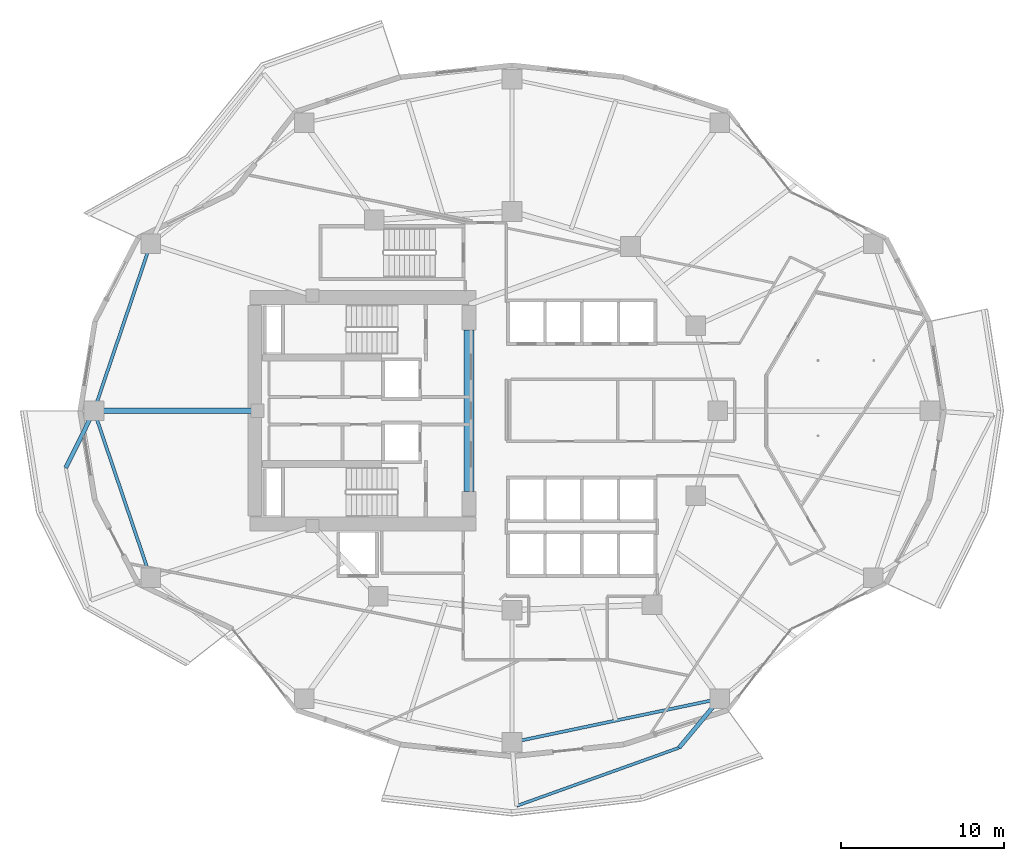
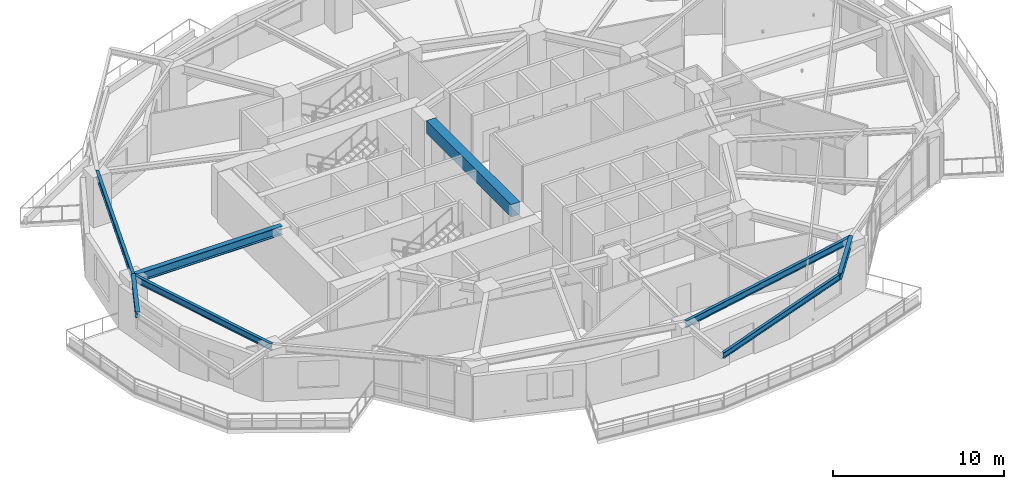
# One storey, part 3 of 18: 8 beams.
"""IFC4 building model written with IfcOpenShell, lengths in metres."""

import ifcopenshell
import ifcopenshell.guid

model = None  # the IFC model being written
_history = None  # IfcOwnerHistory: only IFC2X3 demands one
_inside = {}  # id of a spatial element -> (the spatial element, [elements in it])
_under = {}  # id of a project, library or spatial element -> (it, [spatial elements below it])
_declared = {}  # id of a project -> (the project, [libraries it declares])
_typed = {}  # id of a type object -> (the type object, [elements of that type])
_made_of = {}  # id of a material, layer set ... -> (it, [elements and type objects made of it])


def new_model(schema):
    """Start an empty IFC model of exactly this schema.

    Asked for "IFC4X3", IfcOpenShell would pick the latest addendum, in which some entities
    have other attributes; the version numbers below select the first issue.
    IFC2X3 requires an IfcOwnerHistory on every rooted entity: one is made here for all.
    """
    global model, _history
    if schema == "IFC4X3":
        model = ifcopenshell.file(schema_version=(4, 3, 0, 0))
    else:
        model = ifcopenshell.file(schema=schema)
    _inside.clear()
    _under.clear()
    _declared.clear()
    _typed.clear()
    _made_of.clear()
    _history = None
    if model.schema == "IFC2X3":
        org = make("IfcOrganization", Name="unknown")
        user = make(
            "IfcPersonAndOrganization",
            ThePerson=make("IfcPerson", FamilyName="unknown"),
            TheOrganization=org,
        )
        app = make(
            "IfcApplication",
            ApplicationDeveloper=org,
            Version="unknown",
            ApplicationFullName="unknown",
            ApplicationIdentifier="unknown",
        )
        _history = make(
            "IfcOwnerHistory",
            OwningUser=user,
            OwningApplication=app,
            ChangeAction="ADDED",
            CreationDate=0,
        )
    return model


def make(cls, **values):
    """One entity of the class cls with the attributes given. An attribute that is None is left unset."""
    return model.create_entity(
        cls, **{name: value for name, value in values.items() if value is not None}
    )


def rooted(cls, **values):
    """An entity with a GlobalId (a new one), such as an element, a storey or a relation."""
    return make(cls, GlobalId=ifcopenshell.guid.new(), OwnerHistory=_history, **values)


def si_unit(unit_type, name, prefix=None):
    """IfcSIUnit, for example si_unit("LENGTHUNIT", "METRE", prefix="MILLI")."""
    return make("IfcSIUnit", UnitType=unit_type, Prefix=prefix, Name=name)


def assignment(units):
    """IfcUnitAssignment: the units of a project."""
    return None if units is None else make("IfcUnitAssignment", Units=units)


def point(xyz):
    """IfcCartesianPoint."""
    return None if xyz is None else make("IfcCartesianPoint", Coordinates=xyz)


def direction(xyz):
    """IfcDirection."""
    return None if xyz is None else make("IfcDirection", DirectionRatios=xyz)


def frame(location, z_axis=None, x_axis=None):
    """IfcAxis2Placement3D, a coordinate frame: its origin and axes. An axis left out is left unset."""
    return make(
        "IfcAxis2Placement3D",
        Location=point(location),
        Axis=direction(z_axis),
        RefDirection=direction(x_axis),
    )


def frame_2d(location, x_axis=None):
    """IfcAxis2Placement2D, a coordinate frame in the plane: its origin and x axis."""
    return make(
        "IfcAxis2Placement2D", Location=point(location), RefDirection=direction(x_axis)
    )


def origin():
    """The frame at (0, 0, 0) with its axes left unset."""
    return frame((0.0, 0.0, 0.0))


def origin_2d():
    """The frame at (0, 0) in the plane with its x axis left unset."""
    return frame_2d((0.0, 0.0))


def place(relative_to, where):
    """IfcLocalPlacement: puts the frame where relative to a parent placement (None: the world)."""
    return make(
        "IfcLocalPlacement", PlacementRelTo=relative_to, RelativePlacement=where
    )


def context(
    kind, dimensions, precision=None, world=None, true_north=None, identifier=None
):
    """IfcGeometricRepresentationContext, for example the 3D "Model" context."""
    return make(
        "IfcGeometricRepresentationContext",
        ContextIdentifier=identifier,
        ContextType=kind,
        CoordinateSpaceDimension=dimensions,
        Precision=precision,
        WorldCoordinateSystem=world,
        TrueNorth=true_north,
    )


def subcontext(parent, identifier, kind, view, scale=None):
    """IfcGeometricRepresentationSubContext, for example "Body" below "Model"."""
    return make(
        "IfcGeometricRepresentationSubContext",
        ContextIdentifier=identifier,
        ContextType=kind,
        ParentContext=parent,
        TargetScale=scale,
        TargetView=view,
    )


def project(units=None, contexts=None):
    """IfcProject with its units and contexts."""
    return rooted(
        "IfcProject",
        Name="project",
        RepresentationContexts=contexts,
        UnitsInContext=assignment(units),
    )


def spatial(cls, under=None, at=None, **own):
    """A site, building, storey or space (cls), placed at a placement, below another one or the project."""
    s = rooted(cls, ObjectPlacement=at, **own)
    if under is not None:
        _under.setdefault(under.id(), (under, []))[1].append(s)
    return s


def profile(cls, at=None, kind="AREA", **sizes):
    """A parametric profile (cls). Its sizes go by their IFC names, for example OverallWidth=200.0."""
    return make(cls, ProfileType=kind, Position=at, **sizes)


def rectangle(**sizes):
    """IfcRectangleProfileDef."""
    return profile("IfcRectangleProfileDef", **sizes)


def i_section(**sizes):
    """IfcIShapeProfileDef."""
    return profile("IfcIShapeProfileDef", **sizes)


def extrude(swept, where, along, depth):
    """IfcExtrudedAreaSolid: the profile swept, set in the frame where, extruded along a direction by depth."""
    return make(
        "IfcExtrudedAreaSolid",
        SweptArea=swept,
        Position=where,
        ExtrudedDirection=direction(along),
        Depth=depth,
    )


def shape(context_of_items, identifier, shape_type, items):
    """IfcShapeRepresentation: the items that make up one representation, for example the "Body"."""
    return make(
        "IfcShapeRepresentation",
        ContextOfItems=context_of_items,
        RepresentationIdentifier=identifier,
        RepresentationType=shape_type,
        Items=items,
    )


def material(Name=None, Category=None):
    """IfcMaterial."""
    return make("IfcMaterial", Name=Name, Category=Category)


def material_profile(
    of_material, cross_section, Name=None, Category=None, Priority=None
):
    """IfcMaterialProfile: a cross section and its material."""
    return make(
        "IfcMaterialProfile",
        Name=Name,
        Material=of_material,
        Profile=cross_section,
        Priority=Priority,
        Category=Category,
    )


def profile_set(profiles, Name=None, composite=None):
    """IfcMaterialProfileSet."""
    return make(
        "IfcMaterialProfileSet",
        Name=Name,
        MaterialProfiles=profiles,
        CompositeProfile=composite,
    )


def made_of(thing, what):
    """Note that an element or type object is made of a material, layer set ...; save() writes the relation."""
    if what is not None:
        _made_of.setdefault(what.id(), (what, []))[1].append(thing)
    return thing


def type_object(cls, material=None, **own):
    """A type object (cls), such as IfcWallType, which elements share."""
    return made_of(rooted(cls, **own), material)


def element(
    cls,
    number,
    at=None,
    inside=None,
    cuts=None,
    type_object=None,
    material=None,
    context=None,
    identifier="Body",
    shape_type=None,
    held_by="IfcProductDefinitionShape",
    body=None,
    shapes=None,
    **own,
):
    """One element of the class cls, such as IfcWall. Its Tag is "e" and its number.

    at: its placement. inside: the storey or other place that contains it. cuts: it is an
    opening in that element (IfcRelVoidsElement). A single representation is given by context,
    identifier, shape_type and body (its items); several are given by shapes. held_by: the class
    of the entity that holds the representations. save() writes the other relations.
    """
    e = rooted(cls, Tag="e%d" % number, ObjectPlacement=at, **own)
    if body is not None:
        shapes = [shape(context, identifier, shape_type, body)]
    if shapes is not None:
        e.Representation = make(held_by, Representations=shapes)
    if inside is not None:
        _inside.setdefault(inside.id(), (inside, []))[1].append(e)
    if cuts is not None:
        rooted(
            "IfcRelVoidsElement", RelatingBuildingElement=cuts, RelatedOpeningElement=e
        )
    if type_object is not None:
        _typed.setdefault(type_object.id(), (type_object, []))[1].append(e)
    return made_of(e, material)


def aggregate(whole, parts):
    """IfcRelAggregates: a whole, such as a stair, and the parts it consists of."""
    return rooted("IfcRelAggregates", RelatingObject=whole, RelatedObjects=parts)


def save(model, path):
    """Write the relations noted so far, then the file.

    IfcRelAggregates (storeys below a building ...), IfcRelContainedInSpatialStructure (elements
    in a storey), IfcRelDefinesByType, IfcRelAssociatesMaterial and IfcRelDeclares: one each for
    every whole, place, type object, material and project.
    """
    for whole, parts in _under.values():
        aggregate(whole, parts)
    for where, things in _inside.values():
        rooted(
            "IfcRelContainedInSpatialStructure",
            RelatedElements=things,
            RelatingStructure=where,
        )
    for kind, things in _typed.values():
        rooted("IfcRelDefinesByType", RelatedObjects=things, RelatingType=kind)
    for what, things in _made_of.values():
        rooted("IfcRelAssociatesMaterial", RelatedObjects=things, RelatingMaterial=what)
    for by, libraries in _declared.values():
        rooted("IfcRelDeclares", RelatingContext=by, RelatedDefinitions=libraries)
    model.write(path)


model = new_model("IFC4")

# Units and contexts
model_context = context("Model", 3, precision=1e-05, world=origin(), true_north=direction((0.0, 1.0)))
body_context = subcontext(model_context, "Body", "Model", "MODEL_VIEW")
ifc_project = project(units=[si_unit("LENGTHUNIT", "METRE"), si_unit("AREAUNIT", "SQUARE_METRE"), si_unit("VOLUMEUNIT", "CUBIC_METRE"), si_unit("PLANEANGLEUNIT", "RADIAN"), si_unit("MASSUNIT", "GRAM", prefix="KILO")], contexts=[model_context])

# Site, building, storey
site_placement = place(None, origin())
site = spatial("IfcSite", under=ifc_project, at=site_placement, CompositionType="ELEMENT")
building_placement = place(site_placement, origin())
building = spatial("IfcBuilding", under=site, at=building_placement, Name="Kolvaren Gate Tower and Convention Centre", CompositionType="ELEMENT")
storey_placement = place(building_placement, frame((0.0, 0.0, 61.14990234375)))
storey = spatial("IfcBuildingStorey", under=building, at=storey_placement, Name="L14", CompositionType="ELEMENT", Elevation=61.14990234375)

# Beams
ifc_material_1 = material(Name="Structural steel ASTM A992 Grade 345 MPa", Category="steel")
ifc_material_profile_1 = material_profile(ifc_material_1, i_section(OverallWidth=0.260009765625, OverallDepth=0.419921875, WebThickness=0.013427734375, FlangeThickness=0.0224609375, at=origin_2d()), Name="W410X132")
ifc_profile_set_1 = profile_set([ifc_material_profile_1], Name="Structural steel ASTM A992 Grade 345 MPa")
beam_type_1 = type_object("IfcBeamType", Name="STR-BM-W410X132", PredefinedType="BEAM", material=ifc_profile_set_1)
beam_1_placement = place(storey_placement, frame((4.53759765625, 27.0, 3.360595703125), z_axis=(-0.442775963142, -0.896632280516, 0.0), x_axis=(0.896632280516, -0.442775963142, 0.0)))
element("IfcBeam", 1, at=beam_1_placement, inside=storey, type_object=beam_type_1, Name="Tower L15 Planted Balcony Outrigger Cantilever BC-2A", PredefinedType="BEAM", context=body_context, shape_type="SweptSolid", body=[
    extrude(i_section(OverallWidth=0.260009765625, OverallDepth=0.419921875, WebThickness=0.013427734375, FlangeThickness=0.0224609375, at=origin_2d()), origin(), (0.0, 0.0, 1.0), 3.89990234375),
])
beam_2_placement = place(storey_placement, frame((42.846435546875, 9.372802734375, 3.360595703125), z_axis=(-0.639069265421, -0.769149188386, 0.0), x_axis=(0.769149188386, -0.639069265421, 0.0)))
element("IfcBeam", 2, at=beam_2_placement, inside=storey, type_object=beam_type_1, Name="Tower L15 Planted Balcony Outrigger Cantilever BC-3B", PredefinedType="BEAM", context=body_context, shape_type="SweptSolid", body=[
    extrude(i_section(OverallWidth=0.260009765625, OverallDepth=0.419921875, WebThickness=0.013427734375, FlangeThickness=0.0224609375, at=origin_2d()), origin(), (0.0, 0.0, 1.0), 3.900146484375),
])
ifc_material_profile_2 = material_profile(ifc_material_1, i_section(OverallWidth=0.327880859375, OverallDepth=0.6279296875, WebThickness=0.0166015625, FlangeThickness=0.027587890625, at=origin_2d()), Name="W610X217")
ifc_profile_set_2 = profile_set([ifc_material_profile_2], Name="Structural steel ASTM A992 Grade 345 MPa")
beam_type_2 = type_object("IfcBeamType", Name="STR-BM-W610X217", PredefinedType="BEAM", material=ifc_profile_set_2)
beam_3_placement = place(storey_placement, frame((14.550048828125, 27.0, 3.256103515625), z_axis=(-1.0, 0.0, 0.0), x_axis=(0.0, -1.0, 0.0)))
element("IfcBeam", 3, at=beam_3_placement, inside=storey, type_object=beam_type_2, Name="Tower L14 Radial Floor Girder RB-07", PredefinedType="BEAM", context=body_context, shape_type="SweptSolid", body=[
    extrude(i_section(OverallWidth=0.327880859375, OverallDepth=0.6279296875, WebThickness=0.0166015625, FlangeThickness=0.027587890625, at=origin_2d()), origin(), (0.0, 0.0, 1.0), 10.012451171875),
])
ifc_material_2 = material(Name="Concrete C60/75", Category="concrete")
ifc_material_profile_3 = material_profile(ifc_material_2, rectangle(XDim=0.60009765625, YDim=0.89990234375, at=origin_2d()), Name="RC-BM-600X900")
ifc_profile_set_3 = profile_set([ifc_material_profile_3], Name="Concrete C60/75")
beam_type_3 = type_object("IfcBeamType", Name="STR-LN-RC600X900", PredefinedType="LINTEL", material=ifc_profile_set_3)
beam_4_placement = place(storey_placement, frame((27.5, 22.050048828125, 3.1201171875), z_axis=(0.0, 1.0, 0.0), x_axis=(-1.0, 0.0, 0.0)))
element("IfcBeam", 4, at=beam_4_placement, inside=storey, type_object=beam_type_3, Name="Tower L14 Core Ductile Coupling Beam CB-01", PredefinedType="LINTEL", context=body_context, shape_type="SweptSolid", body=[
    extrude(rectangle(XDim=0.60009765625, YDim=0.89990234375, at=origin_2d()), origin(), (0.0, 0.0, 1.0), 9.89990234375),
])
ifc_material_profile_4 = material_profile(ifc_material_1, i_section(OverallWidth=0.180908203125, OverallDepth=0.4169921875, WebThickness=0.010986328125, FlangeThickness=0.018310546875, at=origin_2d()), Name="W410X85")
ifc_profile_set_4 = profile_set([ifc_material_profile_4], Name="Structural steel ASTM A992 Grade 345 MPa")
beam_type_4 = type_object("IfcBeamType", Name="STR-SP-W410X85", PredefinedType="SPANDREL", material=ifc_profile_set_4)
beam_5_placement = place(storey_placement, frame((30.414306640625, 2.810791015625, 3.362060546875), z_axis=(0.941370443611, 0.337374699549, 0.0), x_axis=(-0.337374699549, 0.941370443611, 0.0)))
element("IfcBeam", 5, at=beam_5_placement, inside=storey, type_object=beam_type_4, Name="Tower L15 Planted Balcony Header Tie Beam BT-3", PredefinedType="SPANDREL", context=body_context, shape_type="SweptSolid", body=[
    extrude(i_section(OverallWidth=0.180908203125, OverallDepth=0.4169921875, WebThickness=0.010986328125, FlangeThickness=0.018310546875, at=origin_2d()), origin(), (0.0, 0.0, 1.0), 10.558837890625),
])
ifc_material_profile_5 = material_profile(ifc_material_1, i_section(OverallWidth=0.194091796875, OverallDepth=0.468994140625, WebThickness=0.0126953125, FlangeThickness=0.0205078125, at=origin_2d()), Name="W460X106")
ifc_profile_set_5 = profile_set([ifc_material_profile_5], Name="Structural steel ASTM A992 Grade 345 MPa")
beam_type_5 = type_object("IfcBeamType", Name="STR-SP-W460X106", PredefinedType="SPANDREL", material=ifc_profile_set_5)
for number, where, z_axis, x_axis, name in (
    (6, (8.001220703125, 37.218505859375, 3.335693359375), (-0.321016233787, -0.947073691771, 0.0), (0.947073691771, -0.321016233787, 0.0), "Tower L14 Perimeter Spandrel Beam SP-06"),
    (7, (4.53759765625, 27.0, 3.335693359375), (0.321016233787, -0.947073691771, 0.0), (0.947073691771, 0.321016233787, 0.0), "Tower L14 Perimeter Spandrel Beam SP-07"),
):
    element("IfcBeam", number, at=place(storey_placement, frame(where, z_axis=z_axis, x_axis=x_axis)), inside=storey, type_object=beam_type_5, Name=name, PredefinedType="SPANDREL", context=body_context, shape_type="SweptSolid", body=[
        extrude(i_section(OverallWidth=0.194091796875, OverallDepth=0.468994140625, WebThickness=0.0126953125, FlangeThickness=0.0205078125, at=origin_2d()), origin(), (0.0, 0.0, 1.0), 10.78955078125),
    ])
beam_6_placement = place(storey_placement, frame((30.125, 6.699951171875, 3.335693359375), z_axis=(0.978632602148, 0.205616706552, 0.0), x_axis=(-0.205616706552, 0.978632602148, 0.0)))
element("IfcBeam", 8, at=beam_6_placement, inside=storey, type_object=beam_type_5, Name="Tower L14 Perimeter Spandrel Beam SP-10", PredefinedType="SPANDREL", context=body_context, shape_type="SweptSolid", body=[
    extrude(i_section(OverallWidth=0.194091796875, OverallDepth=0.468994140625, WebThickness=0.0126953125, FlangeThickness=0.0205078125, at=origin_2d()), origin(), (0.0, 0.0, 1.0), 12.999267578125),
])

save(model, "model.ifc")
